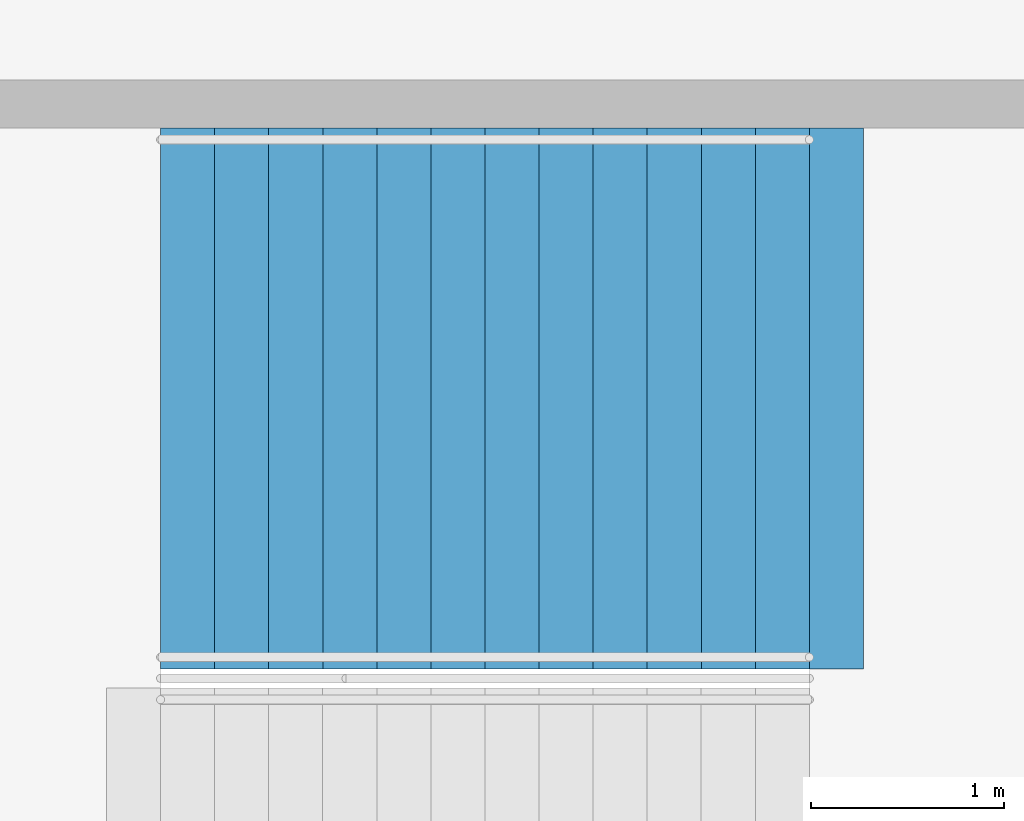
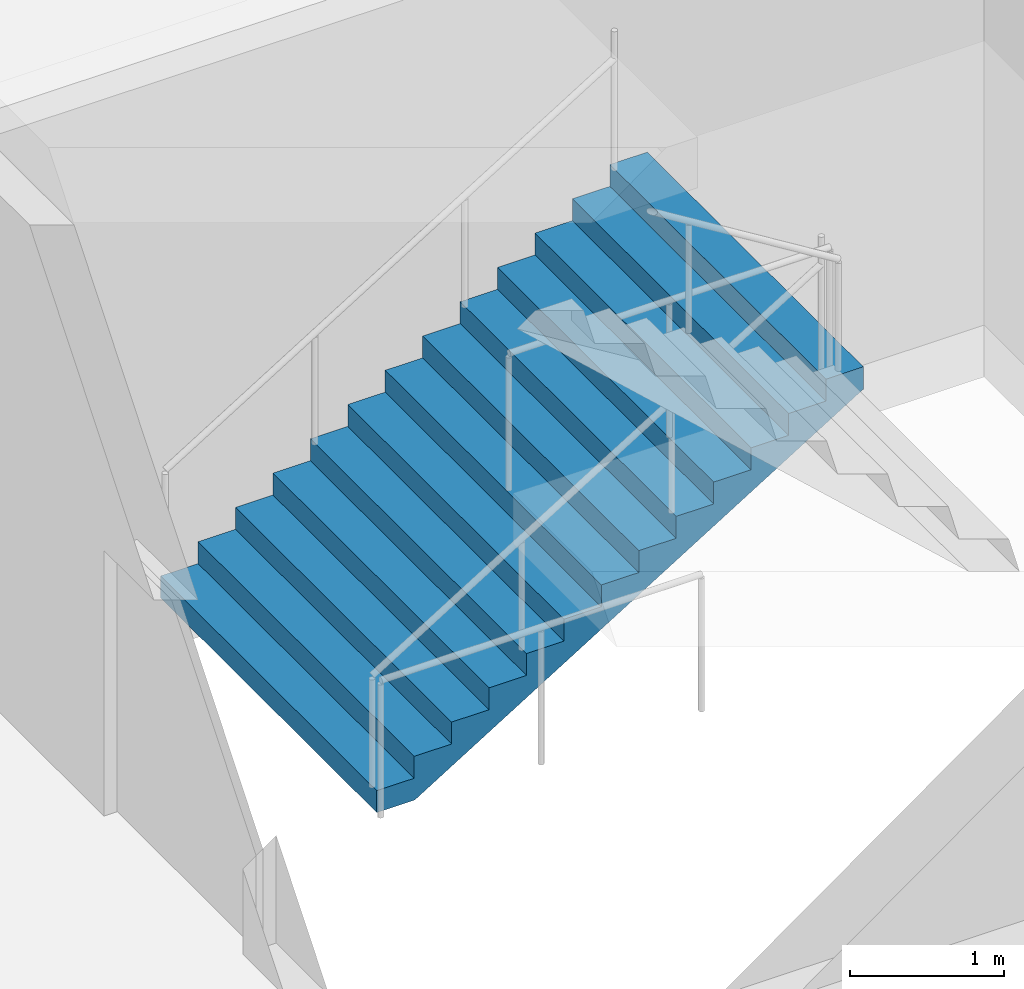
# One storey, part 174 of 199: 1 stair flight, 1 element without a shape of its own.
"""IFC4 building model written with IfcOpenShell, lengths in metres."""

from ifc_helpers import new_model, si_unit, direction, frame, origin, place, context, subcontext, project, spatial, faceted_brep, material, type_object, element, aggregate, save


model = new_model("IFC4")

# Units and contexts
model_context = context("Model", 3, precision=1e-05, world=origin(), true_north=direction((0.0, 1.0)))
body_context = subcontext(model_context, "Body", "Model", "MODEL_VIEW")
ifc_project = project(units=[si_unit("LENGTHUNIT", "METRE"), si_unit("AREAUNIT", "SQUARE_METRE"), si_unit("VOLUMEUNIT", "CUBIC_METRE"), si_unit("PLANEANGLEUNIT", "RADIAN"), si_unit("MASSUNIT", "GRAM", prefix="KILO")], contexts=[model_context])

# Site, building, storey
site_placement = place(None, origin())
site = spatial("IfcSite", under=ifc_project, at=site_placement, CompositionType="ELEMENT")
building_placement = place(site_placement, origin())
building = spatial("IfcBuilding", under=site, at=building_placement, Name="Ogive Plaza Stadium", CompositionType="ELEMENT")
storey_placement = place(building_placement, frame((0.0, 0.0, 9.0)))
storey = spatial("IfcBuildingStorey", under=building, at=storey_placement, Name="L02", CompositionType="ELEMENT", Elevation=9.0)

# Stair, stair flight
ifc_material_1 = material(Name="Concrete C40/50", Category="concrete")
stair_type = type_object("IfcStairType", Name="Exit stair", PredefinedType="STRAIGHT_RUN_STAIR", material=ifc_material_1)
stair_placement = place(storey_placement, origin())
stair = element("IfcStair", 1, at=stair_placement, inside=storey, type_object=stair_type, Name="Exit stair ST02B L02 to L03", PredefinedType="STRAIGHT_RUN_STAIR")
ifc_material_2 = material(Name="Concrete C40/50", Category="concrete")
stair_flight_type = type_object("IfcStairFlightType", Name="Exit stair flight", PredefinedType="STRAIGHT", material=ifc_material_2)
stair_flight_placement = place(storey_placement, frame((76.35009765625, 41.925048828125, 0.0), z_axis=(0.0, 0.0, 1.0), x_axis=(1.0, 0.0, 0.0)))
stair_flight = element("IfcStairFlight", 2, at=stair_flight_placement, type_object=stair_flight_type, Name="ST02B flight 1", NumberOfRisers=13, NumberOfTreads=12, PredefinedType="STRAIGHT", RiserHeight=0.173076923, TreadLength=0.28, context=body_context, shape_type="Brep", body=[
    faceted_brep([(0.28515625, -1.39990234375, 0.0), (3.639892578125, -1.39990234375, 2.07373046875), (3.639892578125, -1.39990234375, 2.25), (3.360107421875, -1.39990234375, 2.25), (3.360107421875, -1.39990234375, 2.076904296875), (3.080078125, -1.39990234375, 2.076904296875), (3.080078125, -1.39990234375, 1.90380859375), (2.800048828125, -1.39990234375, 1.90380859375), (2.800048828125, -1.39990234375, 1.730712890625), (2.52001953125, -1.39990234375, 1.730712890625), (2.52001953125, -1.39990234375, 1.5576171875), (2.239990234375, -1.39990234375, 1.5576171875), (2.239990234375, -1.39990234375, 1.384521484375), (1.9599609375, -1.39990234375, 1.384521484375), (1.9599609375, -1.39990234375, 1.21142578125), (1.679931640625, -1.39990234375, 1.21142578125), (1.679931640625, -1.39990234375, 1.03857421875), (1.39990234375, -1.39990234375, 1.03857421875), (1.39990234375, -1.39990234375, 0.865478515625), (1.1201171875, -1.39990234375, 0.865478515625), (1.1201171875, -1.39990234375, 0.6923828125), (0.840087890625, -1.39990234375, 0.6923828125), (0.840087890625, -1.39990234375, 0.519287109375), (0.56005859375, -1.39990234375, 0.519287109375), (0.56005859375, -1.39990234375, 0.34619140625), (0.280029296875, -1.39990234375, 0.34619140625), (0.280029296875, -1.39990234375, 0.173095703125), (0.0, -1.39990234375, 0.173095703125), (0.0, -1.39990234375, 0.0), (0.0, 1.39990234375, 0.0), (0.0, 1.39990234375, 0.173095703125), (0.280029296875, 1.39990234375, 0.173095703125), (0.280029296875, 1.39990234375, 0.34619140625), (0.56005859375, 1.39990234375, 0.34619140625), (0.56005859375, 1.39990234375, 0.519287109375), (0.840087890625, 1.39990234375, 0.519287109375), (0.840087890625, 1.39990234375, 0.6923828125), (1.1201171875, 1.39990234375, 0.6923828125), (1.1201171875, 1.39990234375, 0.865478515625), (1.39990234375, 1.39990234375, 0.865478515625), (1.39990234375, 1.39990234375, 1.03857421875), (1.679931640625, 1.39990234375, 1.03857421875), (1.679931640625, 1.39990234375, 1.21142578125), (1.9599609375, 1.39990234375, 1.21142578125), (1.9599609375, 1.39990234375, 1.384521484375), (2.239990234375, 1.39990234375, 1.384521484375), (2.239990234375, 1.39990234375, 1.5576171875), (2.52001953125, 1.39990234375, 1.5576171875), (2.52001953125, 1.39990234375, 1.730712890625), (2.800048828125, 1.39990234375, 1.730712890625), (2.800048828125, 1.39990234375, 1.90380859375), (3.080078125, 1.39990234375, 1.90380859375), (3.080078125, 1.39990234375, 2.076904296875), (3.360107421875, 1.39990234375, 2.076904296875), (3.360107421875, 1.39990234375, 2.25), (3.639892578125, 1.39990234375, 2.25), (3.639892578125, 1.39990234375, 2.07373046875), (0.28515625, 1.39990234375, 0.0), (0.28515625, -1.0888671875, 0.0), (3.639892578125, -1.0888671875, 2.07373046875), (0.28515625, -0.77783203125, 0.0), (3.639892578125, -0.77783203125, 2.07373046875), (0.28515625, -0.466796875, 0.0), (3.639892578125, -0.466796875, 2.07373046875), (0.28515625, -0.155517578125, 0.0), (3.639892578125, -0.155517578125, 2.07373046875), (0.28515625, 0.155517578125, 0.0), (3.639892578125, 0.155517578125, 2.07373046875), (0.28515625, 0.466796875, 0.0), (3.639892578125, 0.466796875, 2.07373046875), (0.28515625, 0.77783203125, 0.0), (3.639892578125, 0.77783203125, 2.07373046875), (0.28515625, 1.0888671875, 0.0), (3.639892578125, 1.0888671875, 2.07373046875), (3.639892578125, -1.0888671875, 2.25), (3.639892578125, -0.77783203125, 2.25), (3.639892578125, -0.466796875, 2.25), (3.639892578125, -0.155517578125, 2.25), (3.639892578125, 0.155517578125, 2.25), (3.639892578125, 0.466796875, 2.25), (3.639892578125, 0.77783203125, 2.25), (3.639892578125, 1.0888671875, 2.25), (3.360107421875, -1.0888671875, 2.25), (3.360107421875, -0.77783203125, 2.25), (3.360107421875, -0.466796875, 2.25), (3.360107421875, -0.155517578125, 2.25), (3.360107421875, 0.155517578125, 2.25), (3.360107421875, 0.466796875, 2.25), (3.360107421875, 0.77783203125, 2.25), (3.360107421875, 1.0888671875, 2.25), (3.360107421875, -1.0888671875, 2.076904296875), (3.360107421875, -0.77783203125, 2.076904296875), (3.360107421875, -0.466796875, 2.076904296875), (3.360107421875, -0.155517578125, 2.076904296875), (3.360107421875, 0.155517578125, 2.076904296875), (3.360107421875, 0.466796875, 2.076904296875), (3.360107421875, 0.77783203125, 2.076904296875), (3.360107421875, 1.0888671875, 2.076904296875), (3.080078125, -1.0888671875, 2.076904296875), (3.080078125, -0.77783203125, 2.076904296875), (3.080078125, -0.466796875, 2.076904296875), (3.080078125, -0.155517578125, 2.076904296875), (3.080078125, 0.155517578125, 2.076904296875), (3.080078125, 0.466796875, 2.076904296875), (3.080078125, 0.77783203125, 2.076904296875), (3.080078125, 1.0888671875, 2.076904296875), (3.080078125, -1.0888671875, 1.90380859375), (3.080078125, -0.77783203125, 1.90380859375), (3.080078125, -0.466796875, 1.90380859375), (3.080078125, -0.155517578125, 1.90380859375), (3.080078125, 0.155517578125, 1.90380859375), (3.080078125, 0.466796875, 1.90380859375), (3.080078125, 0.77783203125, 1.90380859375), (3.080078125, 1.0888671875, 1.90380859375), (2.800048828125, -1.0888671875, 1.90380859375), (2.800048828125, -0.77783203125, 1.90380859375), (2.800048828125, -0.466796875, 1.90380859375), (2.800048828125, -0.155517578125, 1.90380859375), (2.800048828125, 0.155517578125, 1.90380859375), (2.800048828125, 0.466796875, 1.90380859375), (2.800048828125, 0.77783203125, 1.90380859375), (2.800048828125, 1.0888671875, 1.90380859375), (2.800048828125, -1.0888671875, 1.730712890625), (2.800048828125, -0.77783203125, 1.730712890625), (2.800048828125, -0.466796875, 1.730712890625), (2.800048828125, -0.155517578125, 1.730712890625), (2.800048828125, 0.155517578125, 1.730712890625), (2.800048828125, 0.466796875, 1.730712890625), (2.800048828125, 0.77783203125, 1.730712890625), (2.800048828125, 1.0888671875, 1.730712890625), (2.52001953125, -1.0888671875, 1.730712890625), (2.52001953125, -0.77783203125, 1.730712890625), (2.52001953125, -0.466796875, 1.730712890625), (2.52001953125, -0.155517578125, 1.730712890625), (2.52001953125, 0.155517578125, 1.730712890625), (2.52001953125, 0.466796875, 1.730712890625), (2.52001953125, 0.77783203125, 1.730712890625), (2.52001953125, 1.0888671875, 1.730712890625), (2.52001953125, -1.0888671875, 1.5576171875), (2.52001953125, -0.77783203125, 1.5576171875), (2.52001953125, -0.466796875, 1.5576171875), (2.52001953125, -0.155517578125, 1.5576171875), (2.52001953125, 0.155517578125, 1.5576171875), (2.52001953125, 0.466796875, 1.5576171875), (2.52001953125, 0.77783203125, 1.5576171875), (2.52001953125, 1.0888671875, 1.5576171875), (2.239990234375, -1.0888671875, 1.5576171875), (2.239990234375, -0.77783203125, 1.5576171875), (2.239990234375, -0.466796875, 1.5576171875), (2.239990234375, -0.155517578125, 1.5576171875), (2.239990234375, 0.155517578125, 1.5576171875), (2.239990234375, 0.466796875, 1.5576171875), (2.239990234375, 0.77783203125, 1.5576171875), (2.239990234375, 1.0888671875, 1.5576171875), (2.239990234375, -1.0888671875, 1.384521484375), (2.239990234375, -0.77783203125, 1.384521484375), (2.239990234375, -0.466796875, 1.384521484375), (2.239990234375, -0.155517578125, 1.384521484375), (2.239990234375, 0.155517578125, 1.384521484375), (2.239990234375, 0.466796875, 1.384521484375), (2.239990234375, 0.77783203125, 1.384521484375), (2.239990234375, 1.0888671875, 1.384521484375), (1.9599609375, -1.0888671875, 1.384521484375), (1.9599609375, -0.77783203125, 1.384521484375), (1.9599609375, -0.466796875, 1.384521484375), (1.9599609375, -0.155517578125, 1.384521484375), (1.9599609375, 0.155517578125, 1.384521484375), (1.9599609375, 0.466796875, 1.384521484375), (1.9599609375, 0.77783203125, 1.384521484375), (1.9599609375, 1.0888671875, 1.384521484375), (1.9599609375, -1.0888671875, 1.21142578125), (1.9599609375, -0.77783203125, 1.21142578125), (1.9599609375, -0.466796875, 1.21142578125), (1.9599609375, -0.155517578125, 1.21142578125), (1.9599609375, 0.155517578125, 1.21142578125), (1.9599609375, 0.466796875, 1.21142578125), (1.9599609375, 0.77783203125, 1.21142578125), (1.9599609375, 1.0888671875, 1.21142578125), (1.679931640625, -1.0888671875, 1.21142578125), (1.679931640625, -0.77783203125, 1.21142578125), (1.679931640625, -0.466796875, 1.21142578125), (1.679931640625, -0.155517578125, 1.21142578125), (1.679931640625, 0.155517578125, 1.21142578125), (1.679931640625, 0.466796875, 1.21142578125), (1.679931640625, 0.77783203125, 1.21142578125), (1.679931640625, 1.0888671875, 1.21142578125), (1.679931640625, -1.0888671875, 1.03857421875), (1.679931640625, -0.77783203125, 1.03857421875), (1.679931640625, -0.466796875, 1.03857421875), (1.679931640625, -0.155517578125, 1.03857421875), (1.679931640625, 0.155517578125, 1.03857421875), (1.679931640625, 0.466796875, 1.03857421875), (1.679931640625, 0.77783203125, 1.03857421875), (1.679931640625, 1.0888671875, 1.03857421875), (1.39990234375, -1.0888671875, 1.03857421875), (1.39990234375, -0.77783203125, 1.03857421875), (1.39990234375, -0.466796875, 1.03857421875), (1.39990234375, -0.155517578125, 1.03857421875), (1.39990234375, 0.155517578125, 1.03857421875), (1.39990234375, 0.466796875, 1.03857421875), (1.39990234375, 0.77783203125, 1.03857421875), (1.39990234375, 1.0888671875, 1.03857421875), (1.39990234375, -1.0888671875, 0.865478515625), (1.39990234375, -0.77783203125, 0.865478515625), (1.39990234375, -0.466796875, 0.865478515625), (1.39990234375, -0.155517578125, 0.865478515625), (1.39990234375, 0.155517578125, 0.865478515625), (1.39990234375, 0.466796875, 0.865478515625), (1.39990234375, 0.77783203125, 0.865478515625), (1.39990234375, 1.0888671875, 0.865478515625), (1.1201171875, -1.0888671875, 0.865478515625), (1.1201171875, -0.77783203125, 0.865478515625), (1.1201171875, -0.466796875, 0.865478515625), (1.1201171875, -0.155517578125, 0.865478515625), (1.1201171875, 0.155517578125, 0.865478515625), (1.1201171875, 0.466796875, 0.865478515625), (1.1201171875, 0.77783203125, 0.865478515625), (1.1201171875, 1.0888671875, 0.865478515625), (1.1201171875, -1.0888671875, 0.6923828125), (1.1201171875, -0.77783203125, 0.6923828125), (1.1201171875, -0.466796875, 0.6923828125), (1.1201171875, -0.155517578125, 0.6923828125), (1.1201171875, 0.155517578125, 0.6923828125), (1.1201171875, 0.466796875, 0.6923828125), (1.1201171875, 0.77783203125, 0.6923828125), (1.1201171875, 1.0888671875, 0.6923828125), (0.840087890625, -1.0888671875, 0.6923828125), (0.840087890625, -0.77783203125, 0.6923828125), (0.840087890625, -0.466796875, 0.6923828125), (0.840087890625, -0.155517578125, 0.6923828125), (0.840087890625, 0.155517578125, 0.6923828125), (0.840087890625, 0.466796875, 0.6923828125), (0.840087890625, 0.77783203125, 0.6923828125), (0.840087890625, 1.0888671875, 0.6923828125), (0.840087890625, -1.0888671875, 0.519287109375), (0.840087890625, -0.77783203125, 0.519287109375), (0.840087890625, -0.466796875, 0.519287109375), (0.840087890625, -0.155517578125, 0.519287109375), (0.840087890625, 0.155517578125, 0.519287109375), (0.840087890625, 0.466796875, 0.519287109375), (0.840087890625, 0.77783203125, 0.519287109375), (0.840087890625, 1.0888671875, 0.519287109375), (0.56005859375, -1.0888671875, 0.519287109375), (0.56005859375, -0.77783203125, 0.519287109375), (0.56005859375, -0.466796875, 0.519287109375), (0.56005859375, -0.155517578125, 0.519287109375), (0.56005859375, 0.155517578125, 0.519287109375), (0.56005859375, 0.466796875, 0.519287109375), (0.56005859375, 0.77783203125, 0.519287109375), (0.56005859375, 1.0888671875, 0.519287109375), (0.56005859375, -1.0888671875, 0.34619140625), (0.56005859375, -0.77783203125, 0.34619140625), (0.56005859375, -0.466796875, 0.34619140625), (0.56005859375, -0.155517578125, 0.34619140625), (0.56005859375, 0.155517578125, 0.34619140625), (0.56005859375, 0.466796875, 0.34619140625), (0.56005859375, 0.77783203125, 0.34619140625), (0.56005859375, 1.0888671875, 0.34619140625), (0.280029296875, -1.0888671875, 0.34619140625), (0.280029296875, -0.77783203125, 0.34619140625), (0.280029296875, -0.466796875, 0.34619140625), (0.280029296875, -0.155517578125, 0.34619140625), (0.280029296875, 0.155517578125, 0.34619140625), (0.280029296875, 0.466796875, 0.34619140625), (0.280029296875, 0.77783203125, 0.34619140625), (0.280029296875, 1.0888671875, 0.34619140625), (0.280029296875, -1.0888671875, 0.173095703125), (0.280029296875, -0.77783203125, 0.173095703125), (0.280029296875, -0.466796875, 0.173095703125), (0.280029296875, -0.155517578125, 0.173095703125), (0.280029296875, 0.155517578125, 0.173095703125), (0.280029296875, 0.466796875, 0.173095703125), (0.280029296875, 0.77783203125, 0.173095703125), (0.280029296875, 1.0888671875, 0.173095703125), (0.0, -1.0888671875, 0.173095703125), (0.0, -0.77783203125, 0.173095703125), (0.0, -0.466796875, 0.173095703125), (0.0, -0.155517578125, 0.173095703125), (0.0, 0.155517578125, 0.173095703125), (0.0, 0.466796875, 0.173095703125), (0.0, 0.77783203125, 0.173095703125), (0.0, 1.0888671875, 0.173095703125), (0.0, -1.0888671875, 0.0), (0.0, -0.77783203125, 0.0), (0.0, -0.466796875, 0.0), (0.0, -0.155517578125, 0.0), (0.0, 0.155517578125, 0.0), (0.0, 0.466796875, 0.0), (0.0, 0.77783203125, 0.0), (0.0, 1.0888671875, 0.0)], [[[0, 1, 2, 3, 4, 5, 6, 7, 8, 9, 10, 11, 12, 13, 14, 15, 16, 17, 18, 19, 20, 21, 22, 23, 24, 25, 26, 27, 28]], [[29, 30, 31, 32, 33, 34, 35, 36, 37, 38, 39, 40, 41, 42, 43, 44, 45, 46, 47, 48, 49, 50, 51, 52, 53, 54, 55, 56, 57]], [[0, 58, 59, 1]], [[58, 60, 61, 59]], [[60, 62, 63, 61]], [[62, 64, 65, 63]], [[64, 66, 67, 65]], [[66, 68, 69, 67]], [[68, 70, 71, 69]], [[70, 72, 73, 71]], [[72, 57, 56, 73]], [[1, 59, 74, 2]], [[59, 61, 75, 74]], [[61, 63, 76, 75]], [[63, 65, 77, 76]], [[65, 67, 78, 77]], [[67, 69, 79, 78]], [[69, 71, 80, 79]], [[71, 73, 81, 80]], [[73, 56, 55, 81]], [[2, 74, 82, 3]], [[74, 75, 83, 82]], [[75, 76, 84, 83]], [[76, 77, 85, 84]], [[77, 78, 86, 85]], [[78, 79, 87, 86]], [[79, 80, 88, 87]], [[80, 81, 89, 88]], [[81, 55, 54, 89]], [[3, 82, 90, 4]], [[82, 83, 91, 90]], [[83, 84, 92, 91]], [[84, 85, 93, 92]], [[85, 86, 94, 93]], [[86, 87, 95, 94]], [[87, 88, 96, 95]], [[88, 89, 97, 96]], [[89, 54, 53, 97]], [[4, 90, 98, 5]], [[90, 91, 99, 98]], [[91, 92, 100, 99]], [[92, 93, 101, 100]], [[93, 94, 102, 101]], [[94, 95, 103, 102]], [[95, 96, 104, 103]], [[96, 97, 105, 104]], [[97, 53, 52, 105]], [[5, 98, 106, 6]], [[98, 99, 107, 106]], [[99, 100, 108, 107]], [[100, 101, 109, 108]], [[101, 102, 110, 109]], [[102, 103, 111, 110]], [[103, 104, 112, 111]], [[104, 105, 113, 112]], [[105, 52, 51, 113]], [[6, 106, 114, 7]], [[106, 107, 115, 114]], [[107, 108, 116, 115]], [[108, 109, 117, 116]], [[109, 110, 118, 117]], [[110, 111, 119, 118]], [[111, 112, 120, 119]], [[112, 113, 121, 120]], [[113, 51, 50, 121]], [[7, 114, 122, 8]], [[114, 115, 123, 122]], [[115, 116, 124, 123]], [[116, 117, 125, 124]], [[117, 118, 126, 125]], [[118, 119, 127, 126]], [[119, 120, 128, 127]], [[120, 121, 129, 128]], [[121, 50, 49, 129]], [[8, 122, 130, 9]], [[122, 123, 131, 130]], [[123, 124, 132, 131]], [[124, 125, 133, 132]], [[125, 126, 134, 133]], [[126, 127, 135, 134]], [[127, 128, 136, 135]], [[128, 129, 137, 136]], [[129, 49, 48, 137]], [[9, 130, 138, 10]], [[130, 131, 139, 138]], [[131, 132, 140, 139]], [[132, 133, 141, 140]], [[133, 134, 142, 141]], [[134, 135, 143, 142]], [[135, 136, 144, 143]], [[136, 137, 145, 144]], [[137, 48, 47, 145]], [[10, 138, 146, 11]], [[138, 139, 147, 146]], [[139, 140, 148, 147]], [[140, 141, 149, 148]], [[141, 142, 150, 149]], [[142, 143, 151, 150]], [[143, 144, 152, 151]], [[144, 145, 153, 152]], [[145, 47, 46, 153]], [[11, 146, 154, 12]], [[146, 147, 155, 154]], [[147, 148, 156, 155]], [[148, 149, 157, 156]], [[149, 150, 158, 157]], [[150, 151, 159, 158]], [[151, 152, 160, 159]], [[152, 153, 161, 160]], [[153, 46, 45, 161]], [[12, 154, 162, 13]], [[154, 155, 163, 162]], [[155, 156, 164, 163]], [[156, 157, 165, 164]], [[157, 158, 166, 165]], [[158, 159, 167, 166]], [[159, 160, 168, 167]], [[160, 161, 169, 168]], [[161, 45, 44, 169]], [[13, 162, 170, 14]], [[162, 163, 171, 170]], [[163, 164, 172, 171]], [[164, 165, 173, 172]], [[165, 166, 174, 173]], [[166, 167, 175, 174]], [[167, 168, 176, 175]], [[168, 169, 177, 176]], [[169, 44, 43, 177]], [[14, 170, 178, 15]], [[170, 171, 179, 178]], [[171, 172, 180, 179]], [[172, 173, 181, 180]], [[173, 174, 182, 181]], [[174, 175, 183, 182]], [[175, 176, 184, 183]], [[176, 177, 185, 184]], [[177, 43, 42, 185]], [[15, 178, 186, 16]], [[178, 179, 187, 186]], [[179, 180, 188, 187]], [[180, 181, 189, 188]], [[181, 182, 190, 189]], [[182, 183, 191, 190]], [[183, 184, 192, 191]], [[184, 185, 193, 192]], [[185, 42, 41, 193]], [[16, 186, 194, 17]], [[186, 187, 195, 194]], [[187, 188, 196, 195]], [[188, 189, 197, 196]], [[189, 190, 198, 197]], [[190, 191, 199, 198]], [[191, 192, 200, 199]], [[192, 193, 201, 200]], [[193, 41, 40, 201]], [[17, 194, 202, 18]], [[194, 195, 203, 202]], [[195, 196, 204, 203]], [[196, 197, 205, 204]], [[197, 198, 206, 205]], [[198, 199, 207, 206]], [[199, 200, 208, 207]], [[200, 201, 209, 208]], [[201, 40, 39, 209]], [[18, 202, 210, 19]], [[202, 203, 211, 210]], [[203, 204, 212, 211]], [[204, 205, 213, 212]], [[205, 206, 214, 213]], [[206, 207, 215, 214]], [[207, 208, 216, 215]], [[208, 209, 217, 216]], [[209, 39, 38, 217]], [[19, 210, 218, 20]], [[210, 211, 219, 218]], [[211, 212, 220, 219]], [[212, 213, 221, 220]], [[213, 214, 222, 221]], [[214, 215, 223, 222]], [[215, 216, 224, 223]], [[216, 217, 225, 224]], [[217, 38, 37, 225]], [[20, 218, 226, 21]], [[218, 219, 227, 226]], [[219, 220, 228, 227]], [[220, 221, 229, 228]], [[221, 222, 230, 229]], [[222, 223, 231, 230]], [[223, 224, 232, 231]], [[224, 225, 233, 232]], [[225, 37, 36, 233]], [[21, 226, 234, 22]], [[226, 227, 235, 234]], [[227, 228, 236, 235]], [[228, 229, 237, 236]], [[229, 230, 238, 237]], [[230, 231, 239, 238]], [[231, 232, 240, 239]], [[232, 233, 241, 240]], [[233, 36, 35, 241]], [[22, 234, 242, 23]], [[234, 235, 243, 242]], [[235, 236, 244, 243]], [[236, 237, 245, 244]], [[237, 238, 246, 245]], [[238, 239, 247, 246]], [[239, 240, 248, 247]], [[240, 241, 249, 248]], [[241, 35, 34, 249]], [[23, 242, 250, 24]], [[242, 243, 251, 250]], [[243, 244, 252, 251]], [[244, 245, 253, 252]], [[245, 246, 254, 253]], [[246, 247, 255, 254]], [[247, 248, 256, 255]], [[248, 249, 257, 256]], [[249, 34, 33, 257]], [[24, 250, 258, 25]], [[250, 251, 259, 258]], [[251, 252, 260, 259]], [[252, 253, 261, 260]], [[253, 254, 262, 261]], [[254, 255, 263, 262]], [[255, 256, 264, 263]], [[256, 257, 265, 264]], [[257, 33, 32, 265]], [[25, 258, 266, 26]], [[258, 259, 267, 266]], [[259, 260, 268, 267]], [[260, 261, 269, 268]], [[261, 262, 270, 269]], [[262, 263, 271, 270]], [[263, 264, 272, 271]], [[264, 265, 273, 272]], [[265, 32, 31, 273]], [[26, 266, 274, 27]], [[266, 267, 275, 274]], [[267, 268, 276, 275]], [[268, 269, 277, 276]], [[269, 270, 278, 277]], [[270, 271, 279, 278]], [[271, 272, 280, 279]], [[272, 273, 281, 280]], [[273, 31, 30, 281]], [[27, 274, 282, 28]], [[274, 275, 283, 282]], [[275, 276, 284, 283]], [[276, 277, 285, 284]], [[277, 278, 286, 285]], [[278, 279, 287, 286]], [[279, 280, 288, 287]], [[280, 281, 289, 288]], [[281, 30, 29, 289]], [[28, 282, 58, 0]], [[282, 283, 60, 58]], [[283, 284, 62, 60]], [[284, 285, 64, 62]], [[285, 286, 66, 64]], [[286, 287, 68, 66]], [[287, 288, 70, 68]], [[288, 289, 72, 70]], [[289, 29, 57, 72]]]),
])
aggregate(stair, [stair_flight])

save(model, "model.ifc")
